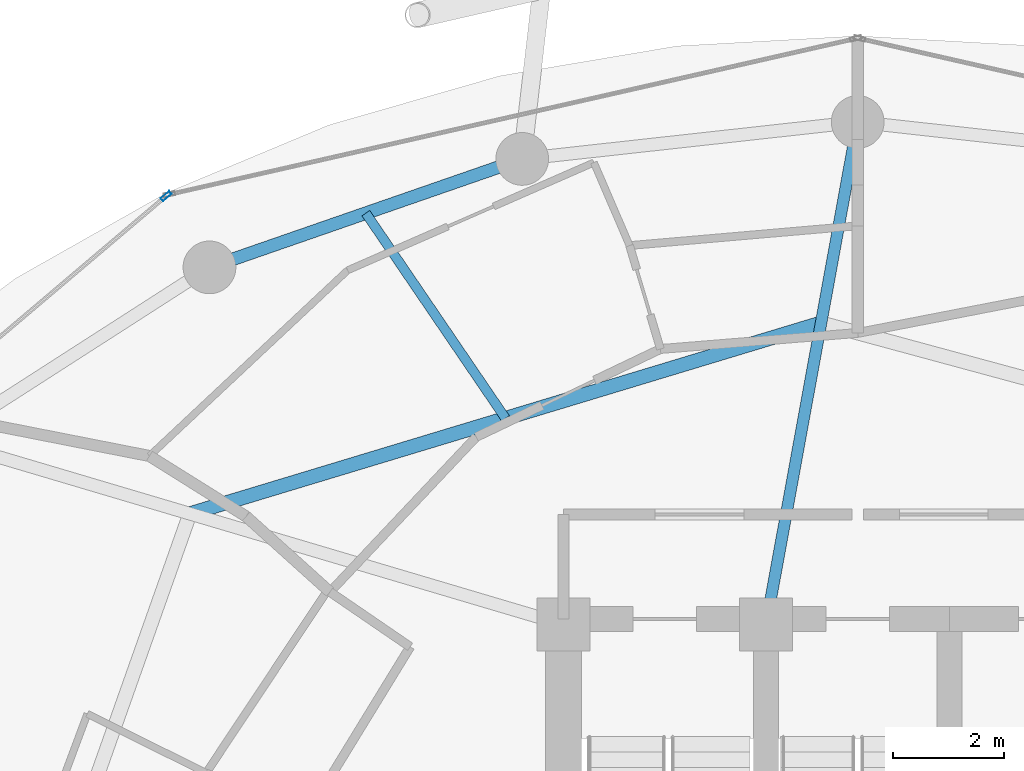
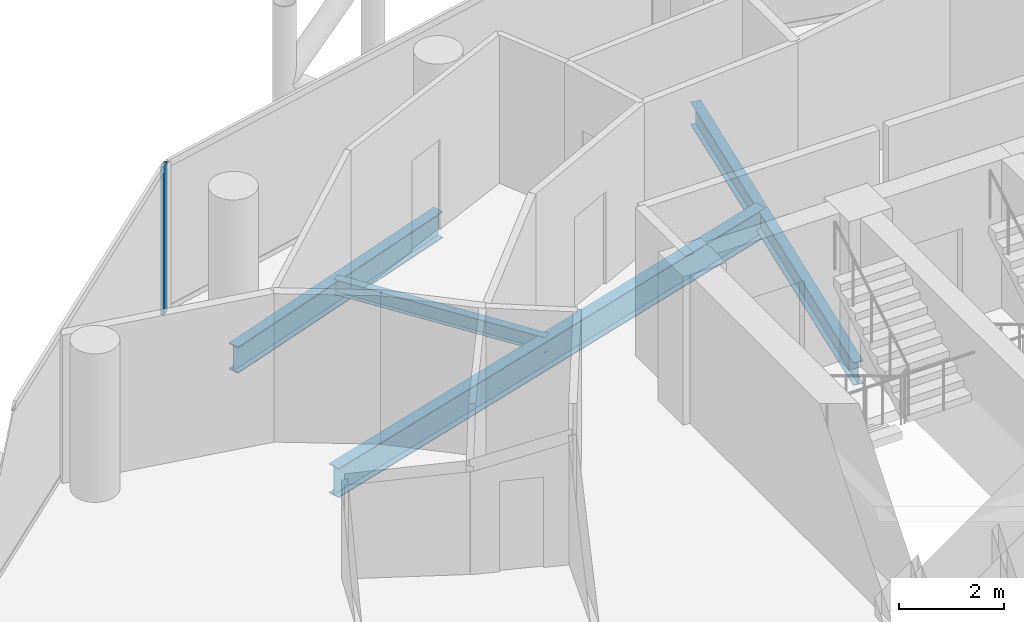
# One storey, part 15 of 26: 4 beams, 1 member, 1 element without a shape of its own.
"""IFC4 building model written with IfcOpenShell, lengths in metres."""

from ifc_helpers import new_model, si_unit, direction, frame, origin, origin_2d, place, context, subcontext, project, spatial, hollow_rectangle, i_section, extrude, material, layer, layer_set, material_profile, profile_set, type_object, element, aggregate, save


model = new_model("IFC4")

# Units and contexts
model_context = context("Model", 3, precision=1e-05, world=origin(), true_north=direction((0.0, 1.0)))
body_context = subcontext(model_context, "Body", "Model", "MODEL_VIEW")
ifc_project = project(units=[si_unit("LENGTHUNIT", "METRE"), si_unit("AREAUNIT", "SQUARE_METRE"), si_unit("VOLUMEUNIT", "CUBIC_METRE"), si_unit("PLANEANGLEUNIT", "RADIAN"), si_unit("MASSUNIT", "GRAM", prefix="KILO")], contexts=[model_context])

# Site, building, storey
site_placement = place(None, origin())
site = spatial("IfcSite", under=ifc_project, at=site_placement, CompositionType="ELEMENT")
building_placement = place(site_placement, origin())
building = spatial("IfcBuilding", under=site, at=building_placement, Name="Nuhasar Tower", CompositionType="ELEMENT")
storey_placement = place(building_placement, frame((0.0, 0.0, 129.35009765625)))
storey = spatial("IfcBuildingStorey", under=building, at=storey_placement, Name="L30", CompositionType="ELEMENT", Elevation=129.35009765625)

# Beams
ifc_material_1 = material(Name="Steel S355", Category="steel")
ifc_material_profile_1 = material_profile(ifc_material_1, i_section(OverallWidth=0.25390625, OverallDepth=0.68408203125, WebThickness=0.012451171875, FlangeThickness=0.018798828125, at=origin_2d()), Name="W27X94")
ifc_profile_set_1 = profile_set([ifc_material_profile_1], Name="Steel S355")
beam_type_1 = type_object("IfcBeamType", Name="BM-INRING-W27X94", PredefinedType="BEAM", material=ifc_profile_set_1)
beam_1_placement = place(storey_placement, frame((38.340087890625, 42.72998046875, -0.592041015625), z_axis=(-0.95722440557, -0.289346569673, 0.0), x_axis=(0.289346569673, -0.95722440557, 0.0)))
element("IfcBeam", 1, at=beam_1_placement, inside=storey, type_object=beam_type_1, Name="L30 Inner Header Beam 06", PredefinedType="BEAM", context=body_context, shape_type="SweptSolid", body=[
    extrude(i_section(OverallWidth=0.25390625, OverallDepth=0.68408203125, WebThickness=0.012451171875, FlangeThickness=0.018798828125, at=origin_2d()), origin(), (0.0, 0.0, 1.0), 11.875244140625),
])
ifc_material_profile_2 = material_profile(ifc_material_1, i_section(OverallWidth=0.1708984375, OverallDepth=0.35205078125, WebThickness=0.0068359375, FlangeThickness=0.009765625, at=origin_2d()), Name="W14X30")
ifc_profile_set_2 = profile_set([ifc_material_profile_2], Name="Steel S355")
beam_type_2 = type_object("IfcBeamType", Name="BM-JST-W14X30", PredefinedType="JOIST", material=ifc_profile_set_2)
beam_2_placement = place(storey_placement, frame((32.656982421875, 41.011962890625, -0.426025390625), z_axis=(-0.562802886474, 0.826591138941, 0.0), x_axis=(-0.826591138941, -0.562802886474, 0.0)))
element("IfcBeam", 2, at=beam_2_placement, inside=storey, type_object=beam_type_2, Name="L30 Secondary Floor Joist 06", PredefinedType="JOIST", context=body_context, shape_type="SweptSolid", body=[
    extrude(i_section(OverallWidth=0.1708984375, OverallDepth=0.35205078125, WebThickness=0.0068359375, FlangeThickness=0.009765625, at=origin_2d()), origin(), (0.0, 0.0, 1.0), 4.47021484375),
])
ifc_material_profile_3 = material_profile(ifc_material_1, i_section(OverallWidth=0.208984375, OverallDepth=0.532958984375, WebThickness=0.01025390625, FlangeThickness=0.015625, at=origin_2d()), Name="W21X62")
ifc_profile_set_3 = profile_set([ifc_material_profile_3], Name="Steel S355")
beam_type_3 = type_object("IfcBeamType", Name="BM-RAD-W21X62", PredefinedType="BEAM", material=ifc_profile_set_3)
beam_3_placement = place(storey_placement, frame((37.35009765625, 37.300048828125, -0.51708984375), z_axis=(0.179352509513, 0.983784873502, 0.0), x_axis=(-0.983784873502, 0.179352509513, 0.0)))
element("IfcBeam", 3, at=beam_3_placement, inside=storey, type_object=beam_type_3, Name="L30 Radial Floor Girder 06", PredefinedType="BEAM", context=body_context, shape_type="SweptSolid", body=[
    extrude(i_section(OverallWidth=0.208984375, OverallDepth=0.532958984375, WebThickness=0.01025390625, FlangeThickness=0.015625, at=origin_2d()), origin(), (0.0, 0.0, 1.0), 9.19921875),
])
ifc_material_profile_4 = material_profile(ifc_material_1, i_section(OverallWidth=0.22998046875, OverallDepth=0.616943359375, WebThickness=0.01318359375, FlangeThickness=0.022216796875, at=origin_2d()), Name="W24X94")
ifc_profile_set_4 = profile_set([ifc_material_profile_4], Name="Steel S355")
beam_type_4 = type_object("IfcBeamType", Name="BM-RING-W24X94", PredefinedType="SPANDREL", material=ifc_profile_set_4)
beam_4_placement = place(storey_placement, frame((32.95703125, 45.68408203125, -0.55908203125), z_axis=(-0.944801380051, -0.327643636066, 0.0), x_axis=(0.327643636066, -0.944801380051, 0.0)))
element("IfcBeam", 4, at=beam_4_placement, inside=storey, type_object=beam_type_4, Name="L30 Perimeter Ring Spandrel 08", PredefinedType="SPANDREL", context=body_context, shape_type="SweptSolid", body=[
    extrude(i_section(OverallWidth=0.22998046875, OverallDepth=0.616943359375, WebThickness=0.01318359375, FlangeThickness=0.022216796875, at=origin_2d()), origin(), (0.0, 0.0, 1.0), 5.961181640625),
])

# Curtain wall, member
ifc_material_2 = material(Name="Aluminium 6063-T6", Category="aluminium")
ifc_layer = layer(ifc_material_2, 0.199951171875)
ifc_layer_set = layer_set([ifc_layer], Name="Aluminium 6063-T6")
curtain_wall_type = type_object("IfcCurtainWallType", Name="CW-Z2-HTL", PredefinedType="NOTDEFINED", material=ifc_layer_set)
curtain_wall_placement = place(storey_placement, origin())
curtain_wall = element("IfcCurtainWall", 5, at=curtain_wall_placement, inside=storey, type_object=curtain_wall_type, Name="L30 Unitised Curtain Wall 05", PredefinedType="NOTDEFINED")
ifc_material_profile_5 = material_profile(ifc_material_2, hollow_rectangle(XDim=0.070068359375, YDim=0.199951171875, WallThickness=0.0048828125, at=origin_2d()), Name="CWM-3")
ifc_profile_set_5 = profile_set([ifc_material_profile_5], Name="Aluminium 6063-T6")
member_type = type_object("IfcMemberType", Name="CW-MUL-S3", PredefinedType="MULLION", material=ifc_profile_set_5)
member_placement = place(storey_placement, frame((26.543212890625, 45.015380859375, 0.0), z_axis=(0.0, 0.0, 1.0), x_axis=(0.646374438324, -0.763020370292, 0.0)))
member = element("IfcMember", 6, at=member_placement, type_object=member_type, Name="CW-Z2 mullion 1", PredefinedType="MULLION", context=body_context, shape_type="SweptSolid", body=[
    extrude(hollow_rectangle(XDim=0.070068359375, YDim=0.199951171875, WallThickness=0.0048828125, at=origin_2d()), origin(), (0.0, 0.0, 1.0), 3.449951171875),
])
aggregate(curtain_wall, [member])

save(model, "model.ifc")
